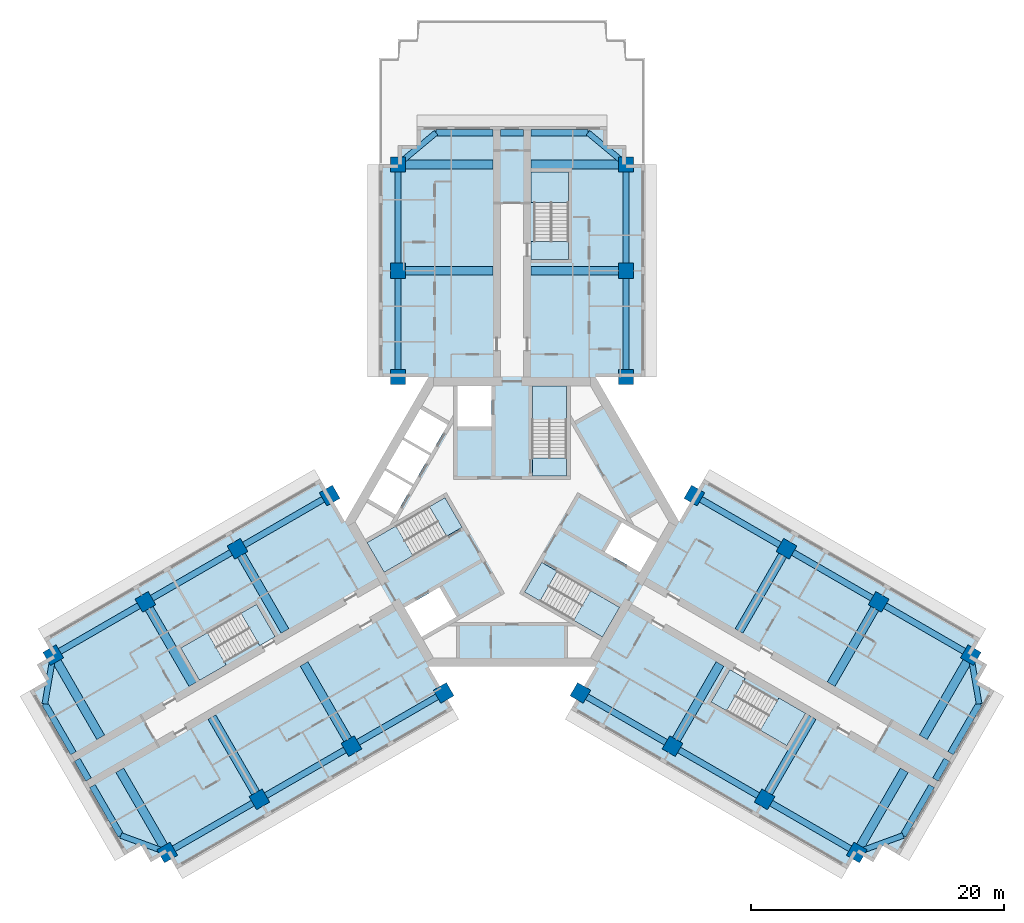
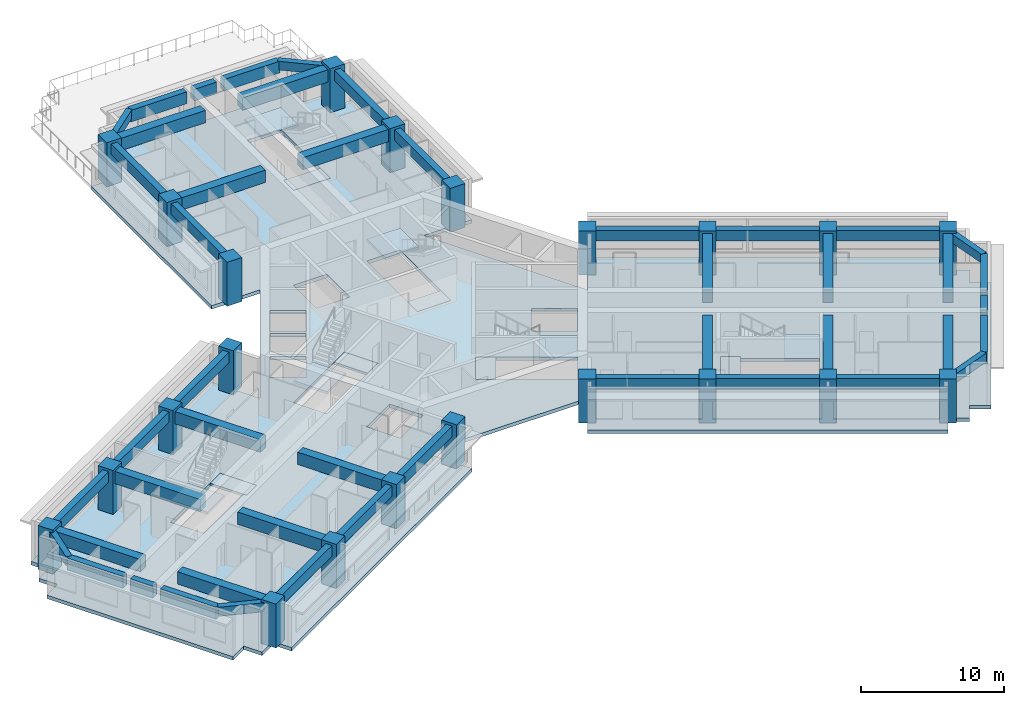
# One storey, part 1 of 12: 47 beams, 22 columns, 13 slabs, 6 elements without a shape of their own.
"""IFC4 building model written with IfcOpenShell, lengths in metres."""

from ifc_helpers import new_model, si_unit, direction, frame, origin, origin_2d, place, context, subcontext, project, spatial, polyline, rectangle, outline, extrude, material, layer, layer_set, material_profile, profile_set, type_object, element, aggregate, save


model = new_model("IFC4")

# Units and contexts
model_context = context("Model", 3, precision=1e-05, world=origin(), true_north=direction((0.0, 1.0)))
body_context = subcontext(model_context, "Body", "Model", "MODEL_VIEW")
ifc_project = project(units=[si_unit("LENGTHUNIT", "METRE"), si_unit("AREAUNIT", "SQUARE_METRE"), si_unit("VOLUMEUNIT", "CUBIC_METRE"), si_unit("PLANEANGLEUNIT", "RADIAN"), si_unit("MASSUNIT", "GRAM", prefix="KILO")], contexts=[model_context])

# Site, building, storey
site_placement = place(None, origin())
site = spatial("IfcSite", under=ifc_project, at=site_placement, CompositionType="ELEMENT")
building_placement = place(site_placement, origin())
building = spatial("IfcBuilding", under=site, at=building_placement, Name="Impinga Residences", CompositionType="ELEMENT")
storey_placement = place(building_placement, frame((0.0, 0.0, 188.5)))
storey = spatial("IfcBuildingStorey", under=building, at=storey_placement, Name="L46", CompositionType="ELEMENT", Elevation=188.5)

# Columns
ifc_material_1 = material(Name="Concrete C60/75", Category="concrete")
ifc_material_profile_1 = material_profile(ifc_material_1, rectangle(XDim=1.199951171875, YDim=1.199951171875, at=origin_2d()), Name="RC 1200x1200")
ifc_profile_set_1 = profile_set([ifc_material_profile_1], Name="Concrete C60/75")
column_type = type_object("IfcColumnType", Name="C9 1200x1200 column", PredefinedType="COLUMN", material=ifc_profile_set_1)
for number, where, z_axis, x_axis, name in (
    (1, (-9.0, 11.431640625, 0.0), (0.0, 0.0, 1.0), (1.0, 0.0, 0.0), "Column C9 N1/NA L46"),
    (2, (9.0, 11.431640625, 0.0), (0.0, 0.0, 1.0), (1.0, 0.0, 0.0), "Column C9 N1/NF L46"),
    (3, (-9.0, 19.83154296875, 0.0), (0.0, 0.0, 1.0), (1.0, 0.0, 0.0), "Column C9 N2/NA L46"),
    (4, (9.0, 19.83154296875, 0.0), (0.0, 0.0, 1.0), (1.0, 0.0, 0.0), "Column C9 N2/NF L46"),
    (5, (-9.0, 28.2314453125, 0.0), (0.0, 0.0, 1.0), (1.0, 0.0, 0.0), "Column C9 N3/NA L46"),
    (6, (9.0, 28.2314453125, 0.0), (0.0, 0.0, 1.0), (1.0, 0.0, 0.0), "Column C9 N3/NF L46"),
    (7, (-5.39990234375, -13.510009765625, 0.0), (0.0, 0.0, 1.0), (-0.5, 0.866025403784, 0.0), "Column C9 W1/WA L46"),
    (8, (-14.39990234375, 2.078369140625, 0.0), (0.0, 0.0, 1.0), (-0.5, 0.866025403784, 0.0), "Column C9 W1/WF L46"),
    (9, (-12.674560546875, -17.7099609375, 0.0), (0.0, 0.0, 1.0), (-0.5, 0.866025403784, 0.0), "Column C9 W2/WA L46"),
    (10, (-21.674560546875, -2.12158203125, 0.0), (0.0, 0.0, 1.0), (-0.5, 0.866025403784, 0.0), "Column C9 W2/WF L46"),
    (11, (-19.94921875, -21.909912109375, 0.0), (0.0, 0.0, 1.0), (-0.5, 0.866025403784, 0.0), "Column C9 W3/WA L46"),
    (12, (-28.94921875, -6.321533203125, 0.0), (0.0, 0.0, 1.0), (-0.5, 0.866025403784, 0.0), "Column C9 W3/WF L46"),
    (13, (-27.223876953125, -26.110107421875, 0.0), (0.0, 0.0, 1.0), (-0.5, 0.866025403784, 0.0), "Column C9 W4/WA L46"),
    (14, (-36.223876953125, -10.521484375, 0.0), (0.0, 0.0, 1.0), (-0.5, 0.866025403784, 0.0), "Column C9 W4/WF L46"),
    (15, (14.39990234375, 2.078369140625, 0.0), (0.0, 0.0, 1.0), (-0.5, -0.866025403784, 0.0), "Column C9 E1/EA L46"),
    (16, (5.39990234375, -13.510009765625, 0.0), (0.0, 0.0, 1.0), (-0.5, -0.866025403784, 0.0), "Column C9 E1/EF L46"),
    (17, (21.674560546875, -2.12158203125, 0.0), (0.0, 0.0, 1.0), (-0.5, -0.866025403784, 0.0), "Column C9 E2/EA L46"),
    (18, (12.674560546875, -17.7099609375, 0.0), (0.0, 0.0, 1.0), (-0.5, -0.866025403784, 0.0), "Column C9 E2/EF L46"),
    (19, (28.94921875, -6.321533203125, 0.0), (0.0, 0.0, 1.0), (-0.5, -0.866025403784, 0.0), "Column C9 E3/EA L46"),
    (20, (19.94921875, -21.909912109375, 0.0), (0.0, 0.0, 1.0), (-0.5, -0.866025403784, 0.0), "Column C9 E3/EF L46"),
    (21, (36.223876953125, -10.521484375, 0.0), (0.0, 0.0, 1.0), (-0.5, -0.866025403784, 0.0), "Column C9 E4/EA L46"),
    (22, (27.223876953125, -26.110107421875, 0.0), (0.0, 0.0, 1.0), (-0.5, -0.866025403784, 0.0), "Column C9 E4/EF L46"),
):
    element("IfcColumn", number, at=place(storey_placement, frame(where, z_axis=z_axis, x_axis=x_axis)), inside=storey, type_object=column_type, Name=name, PredefinedType="COLUMN", context=body_context, shape_type="SweptSolid", body=[
        extrude(rectangle(XDim=1.199951171875, YDim=1.199951171875, at=origin_2d()), origin(), (0.0, 0.0, 1.0), 3.75),
    ])

# Beams
ifc_material_profile_2 = material_profile(ifc_material_1, rectangle(XDim=0.449951171875, YDim=0.75, at=origin_2d()), Name="RC 450x750")
ifc_profile_set_2 = profile_set([ifc_material_profile_2], Name="Concrete C60/75")
beam_type_1 = type_object("IfcBeamType", Name="CB1 450x750 wing end cantilever beam", PredefinedType="BEAM", material=ifc_profile_set_2)
for number, where, z_axis, x_axis, name in (
    (23, (-9.0, 28.2314453125, 3.155029296875), (0.768221279597, 0.640184399664, 0.0), (-0.640184399664, 0.768221279597, 0.0), "Beam CB1 NB N3-NX level L47"),
    (24, (9.0, 28.2314453125, 3.155029296875), (-0.768221279597, 0.640184399664, 0.0), (-0.640184399664, -0.768221279597, 0.0), "Beam CB1 NE N3-NX level L47"),
    (25, (-27.223876953125, -26.110107421875, 3.155029296875), (-0.938520178725, 0.345224382289, 0.0), (-0.345224382289, -0.938520178725, 0.0), "Beam CB1 WB W4-WX level L47"),
):
    element("IfcBeam", number, at=place(storey_placement, frame(where, z_axis=z_axis, x_axis=x_axis)), inside=storey, type_object=beam_type_1, Name=name, PredefinedType="BEAM", context=body_context, shape_type="SweptSolid", body=[
        extrude(rectangle(XDim=0.449951171875, YDim=0.75, at=origin_2d()), origin(), (0.0, 0.0, 1.0), 3.905029296875),
    ])
for number, where, z_axis, x_axis, name in (
    (26, (-36.223876953125, -10.521484375, 3.155029296875), (-0.170296298948, -0.985392901621, 0.0), (0.985392901621, -0.170296298948, 0.0), "Beam CB1 WE W4-WX level L47"),
    (27, (36.223876953125, -10.521484375, 3.155029296875), (0.170296298948, -0.985392901621, 0.0), (0.985392901621, 0.170296298948, 0.0), "Beam CB1 EB E4-EX level L47"),
):
    element("IfcBeam", number, at=place(storey_placement, frame(where, z_axis=z_axis, x_axis=x_axis)), inside=storey, type_object=beam_type_1, Name=name, PredefinedType="BEAM", context=body_context, shape_type="SweptSolid", body=[
        extrude(rectangle(XDim=0.449951171875, YDim=0.75, at=origin_2d()), origin(), (0.0, 0.0, 1.0), 3.9052734375),
    ])
beam_1_placement = place(storey_placement, frame((27.223876953125, -26.110107421875, 3.155029296875), z_axis=(0.938520178725, 0.345224382289, 0.0), x_axis=(-0.345224382289, 0.938520178725, 0.0)))
element("IfcBeam", 28, at=beam_1_placement, inside=storey, type_object=beam_type_1, Name="Beam CB1 EE E4-EX level L47", PredefinedType="BEAM", context=body_context, shape_type="SweptSolid", body=[
    extrude(rectangle(XDim=0.449951171875, YDim=0.75, at=origin_2d()), origin(), (0.0, 0.0, 1.0), 3.905029296875),
])
ifc_material_profile_3 = material_profile(ifc_material_1, rectangle(XDim=0.699951171875, YDim=1.050048828125, at=origin_2d()), Name="RC 700x1050")
ifc_profile_set_3 = profile_set([ifc_material_profile_3], Name="Concrete C60/75")
beam_type_2 = type_object("IfcBeamType", Name="CG1 700x1050 cross girder on a wing bay line", PredefinedType="BEAM", material=ifc_profile_set_3)
for number, where, z_axis, x_axis, name in (
    (29, (-1.5, 19.83154296875, 3.0048828125), (-1.0, 0.0, 0.0), (0.0, -1.0, 0.0), "Beam CG1 N2 NC/NA level L47"),
    (30, (-1.5, 28.2314453125, 3.0048828125), (-1.0, 0.0, 0.0), (0.0, -1.0, 0.0), "Beam CG1 N3 NC/NA level L47"),
    (31, (1.5, 19.83154296875, 3.0048828125), (1.0, 0.0, 0.0), (0.0, 1.0, 0.0), "Beam CG1 N2 NC/NF level L47"),
    (32, (1.5, 28.2314453125, 3.0048828125), (1.0, 0.0, 0.0), (0.0, 1.0, 0.0), "Beam CG1 N3 NC/NF level L47"),
    (33, (-16.424560546875, -11.21484375, 3.0048828125), (0.500004234368, -0.866022959057, 0.0), (0.866022959057, 0.500004234368, 0.0), "Beam CG1 W2 WC/WA level L47"),
    (34, (-23.69921875, -15.414794921875, 3.0048828125), (0.500004234368, -0.866022959057, 0.0), (0.866022959057, 0.500004234368, 0.0), "Beam CG1 W3 WC/WA level L47"),
):
    element("IfcBeam", number, at=place(storey_placement, frame(where, z_axis=z_axis, x_axis=x_axis)), inside=storey, type_object=beam_type_2, Name=name, PredefinedType="BEAM", context=body_context, shape_type="SweptSolid", body=[
        extrude(rectangle(XDim=0.699951171875, YDim=1.050048828125, at=origin_2d()), origin(), (0.0, 0.0, 1.0), 7.5),
    ])
beam_2_placement = place(storey_placement, frame((-30.973876953125, -19.61474609375, 3.0048828125), z_axis=(0.499990139034, -0.866031096941, 0.0), x_axis=(0.866031096941, 0.499990139034, 0.0)))
element("IfcBeam", 35, at=beam_2_placement, inside=storey, type_object=beam_type_2, Name="Beam CG1 W4 WC/WA level L47", PredefinedType="BEAM", context=body_context, shape_type="SweptSolid", body=[
    extrude(rectangle(XDim=0.699951171875, YDim=1.050048828125, at=origin_2d()), origin(), (0.0, 0.0, 1.0), 7.500244140625),
])
for number, where, z_axis, x_axis, name in (
    (36, (-17.924560546875, -8.61669921875, 3.0048828125), (-0.500004234368, 0.866022959057, 0.0), (-0.866022959057, -0.500004234368, 0.0), "Beam CG1 W2 WC/WF level L47"),
    (37, (-25.19921875, -12.816650390625, 3.0048828125), (-0.500004234368, 0.866022959057, 0.0), (-0.866022959057, -0.500004234368, 0.0), "Beam CG1 W3 WC/WF level L47"),
):
    element("IfcBeam", number, at=place(storey_placement, frame(where, z_axis=z_axis, x_axis=x_axis)), inside=storey, type_object=beam_type_2, Name=name, PredefinedType="BEAM", context=body_context, shape_type="SweptSolid", body=[
        extrude(rectangle(XDim=0.699951171875, YDim=1.050048828125, at=origin_2d()), origin(), (0.0, 0.0, 1.0), 7.5),
    ])
beam_3_placement = place(storey_placement, frame((-32.473876953125, -17.016845703125, 3.0048828125), z_axis=(-0.499990139034, 0.866031096941, 0.0), x_axis=(-0.866031096941, -0.499990139034, 0.0)))
element("IfcBeam", 38, at=beam_3_placement, inside=storey, type_object=beam_type_2, Name="Beam CG1 W4 WC/WF level L47", PredefinedType="BEAM", context=body_context, shape_type="SweptSolid", body=[
    extrude(rectangle(XDim=0.699951171875, YDim=1.050048828125, at=origin_2d()), origin(), (0.0, 0.0, 1.0), 7.500244140625),
])
for number, where, z_axis, x_axis, name in (
    (39, (17.924560546875, -8.61669921875, 3.0048828125), (0.500004234368, 0.866022959057, 0.0), (-0.866022959057, 0.500004234368, 0.0), "Beam CG1 E2 EC/EA level L47"),
    (40, (25.19921875, -12.816650390625, 3.0048828125), (0.500004234368, 0.866022959057, 0.0), (-0.866022959057, 0.500004234368, 0.0), "Beam CG1 E3 EC/EA level L47"),
):
    element("IfcBeam", number, at=place(storey_placement, frame(where, z_axis=z_axis, x_axis=x_axis)), inside=storey, type_object=beam_type_2, Name=name, PredefinedType="BEAM", context=body_context, shape_type="SweptSolid", body=[
        extrude(rectangle(XDim=0.699951171875, YDim=1.050048828125, at=origin_2d()), origin(), (0.0, 0.0, 1.0), 7.5),
    ])
beam_4_placement = place(storey_placement, frame((32.473876953125, -17.016845703125, 3.0048828125), z_axis=(0.499990139034, 0.866031096941, 0.0), x_axis=(-0.866031096941, 0.499990139034, 0.0)))
element("IfcBeam", 41, at=beam_4_placement, inside=storey, type_object=beam_type_2, Name="Beam CG1 E4 EC/EA level L47", PredefinedType="BEAM", context=body_context, shape_type="SweptSolid", body=[
    extrude(rectangle(XDim=0.699951171875, YDim=1.050048828125, at=origin_2d()), origin(), (0.0, 0.0, 1.0), 7.500244140625),
])
for number, where, z_axis, x_axis, name in (
    (42, (16.424560546875, -11.21484375, 3.0048828125), (-0.500004234368, -0.866022959057, 0.0), (0.866022959057, -0.500004234368, 0.0), "Beam CG1 E2 EC/EF level L47"),
    (43, (23.69921875, -15.414794921875, 3.0048828125), (-0.500004234368, -0.866022959057, 0.0), (0.866022959057, -0.500004234368, 0.0), "Beam CG1 E3 EC/EF level L47"),
):
    element("IfcBeam", number, at=place(storey_placement, frame(where, z_axis=z_axis, x_axis=x_axis)), inside=storey, type_object=beam_type_2, Name=name, PredefinedType="BEAM", context=body_context, shape_type="SweptSolid", body=[
        extrude(rectangle(XDim=0.699951171875, YDim=1.050048828125, at=origin_2d()), origin(), (0.0, 0.0, 1.0), 7.5),
    ])
beam_5_placement = place(storey_placement, frame((30.973876953125, -19.61474609375, 3.0048828125), z_axis=(-0.499990139034, -0.866031096941, 0.0), x_axis=(0.866031096941, -0.499990139034, 0.0)))
element("IfcBeam", 44, at=beam_5_placement, inside=storey, type_object=beam_type_2, Name="Beam CG1 E4 EC/EF level L47", PredefinedType="BEAM", context=body_context, shape_type="SweptSolid", body=[
    extrude(rectangle(XDim=0.699951171875, YDim=1.050048828125, at=origin_2d()), origin(), (0.0, 0.0, 1.0), 7.500244140625),
])
ifc_material_profile_4 = material_profile(ifc_material_1, rectangle(XDim=0.5, YDim=1.0, at=origin_2d()), Name="RC 500x1000")
ifc_profile_set_4 = profile_set([ifc_material_profile_4], Name="Concrete C60/75")
beam_type_3 = type_object("IfcBeamType", Name="EB1 500x1000 wing end beam", PredefinedType="BEAM", material=ifc_profile_set_4)
beam_6_placement = place(storey_placement, frame((-6.0, 30.7314453125, 3.030029296875), z_axis=(1.0, 0.0, 0.0), x_axis=(0.0, 1.0, 0.0)))
element("IfcBeam", 45, at=beam_6_placement, inside=storey, type_object=beam_type_3, Name="Beam EB1 NX2 level L47", PredefinedType="BEAM", context=body_context, shape_type="SweptSolid", body=[
    extrude(rectangle(XDim=0.5, YDim=1.0, at=origin_2d()), origin(), (0.0, 0.0, 1.0), 4.5),
])
beam_7_placement = place(storey_placement, frame((-0.89990234375, 30.7314453125, 3.030029296875), z_axis=(1.0, 0.0, 0.0), x_axis=(0.0, 1.0, 0.0)))
element("IfcBeam", 46, at=beam_7_placement, inside=storey, type_object=beam_type_3, Name="Beam EB1 NX2 level L47", PredefinedType="BEAM", context=body_context, shape_type="SweptSolid", body=[
    extrude(rectangle(XDim=0.5, YDim=1.0, at=origin_2d()), origin(), (0.0, 0.0, 1.0), 1.7998046875),
])
for number, where, z_axis, x_axis, name in (
    (47, (1.5, 30.7314453125, 3.030029296875), (1.0, 0.0, 0.0), (0.0, 1.0, 0.0), "Beam EB1 NX2 level L47"),
    (48, (-30.888916015625, -24.761962890625, 3.030029296875), (-0.499990139034, 0.866031096941, 0.0), (-0.866031096941, -0.499990139034, 0.0), "Beam EB1 WX3 level L47"),
):
    element("IfcBeam", number, at=place(storey_placement, frame(where, z_axis=z_axis, x_axis=x_axis)), inside=storey, type_object=beam_type_3, Name=name, PredefinedType="BEAM", context=body_context, shape_type="SweptSolid", body=[
        extrude(rectangle(XDim=0.5, YDim=1.0, at=origin_2d()), origin(), (0.0, 0.0, 1.0), 4.5),
    ])
beam_8_placement = place(storey_placement, frame((-33.43896484375, -20.34521484375, 3.030029296875), z_axis=(-0.499961193289, 0.866047807691, 0.0), x_axis=(-0.866047807691, -0.499961193289, 0.0)))
element("IfcBeam", 49, at=beam_8_placement, inside=storey, type_object=beam_type_3, Name="Beam EB1 WX3 level L47", PredefinedType="BEAM", context=body_context, shape_type="SweptSolid", body=[
    extrude(rectangle(XDim=0.5, YDim=1.0, at=origin_2d()), origin(), (0.0, 0.0, 1.0), 1.800048828125),
])
for number, where, z_axis, x_axis, name in (
    (50, (-34.638916015625, -18.266845703125, 3.030029296875), (-0.499990139034, 0.866031096941, 0.0), (-0.866031096941, -0.499990139034, 0.0), "Beam EB1 WX3 level L47"),
    (51, (36.888916015625, -14.36962890625, 3.030029296875), (-0.499990139034, -0.866031096941, 0.0), (0.866031096941, -0.499990139034, 0.0), "Beam EB1 EX3 level L47"),
):
    element("IfcBeam", number, at=place(storey_placement, frame(where, z_axis=z_axis, x_axis=x_axis)), inside=storey, type_object=beam_type_3, Name=name, PredefinedType="BEAM", context=body_context, shape_type="SweptSolid", body=[
        extrude(rectangle(XDim=0.5, YDim=1.0, at=origin_2d()), origin(), (0.0, 0.0, 1.0), 4.5),
    ])
beam_9_placement = place(storey_placement, frame((34.3388671875, -18.786376953125, 3.030029296875), z_axis=(-0.499961193289, -0.866047807691, 0.0), x_axis=(0.866047807691, -0.499961193289, 0.0)))
element("IfcBeam", 52, at=beam_9_placement, inside=storey, type_object=beam_type_3, Name="Beam EB1 EX3 level L47", PredefinedType="BEAM", context=body_context, shape_type="SweptSolid", body=[
    extrude(rectangle(XDim=0.5, YDim=1.0, at=origin_2d()), origin(), (0.0, 0.0, 1.0), 1.800048828125),
])
beam_10_placement = place(storey_placement, frame((33.138916015625, -20.86474609375, 3.030029296875), z_axis=(-0.499990139034, -0.866031096941, 0.0), x_axis=(0.866031096941, -0.499990139034, 0.0)))
element("IfcBeam", 53, at=beam_10_placement, inside=storey, type_object=beam_type_3, Name="Beam EB1 EX3 level L47", PredefinedType="BEAM", context=body_context, shape_type="SweptSolid", body=[
    extrude(rectangle(XDim=0.5, YDim=1.0, at=origin_2d()), origin(), (0.0, 0.0, 1.0), 4.5),
])
ifc_material_profile_5 = material_profile(ifc_material_1, rectangle(XDim=0.5, YDim=0.89990234375, at=origin_2d()), Name="RC 500x900")
ifc_profile_set_5 = profile_set([ifc_material_profile_5], Name="Concrete C60/75")
beam_type_4 = type_object("IfcBeamType", Name="SB1 500x900 perimeter spandrel beam", PredefinedType="SPANDREL", material=ifc_profile_set_5)
for number, where, z_axis, x_axis, name in (
    (54, (-9.0, 11.431640625, 3.080078125), (0.0, 1.0, 0.0), (-1.0, 0.0, 0.0), "Beam SB1 NA N1-N2 level L47"),
    (55, (-9.0, 19.83154296875, 3.080078125), (0.0, 1.0, 0.0), (-1.0, 0.0, 0.0), "Beam SB1 NA N2-N3 level L47"),
    (56, (9.0, 11.431640625, 3.080078125), (0.0, 1.0, 0.0), (-1.0, 0.0, 0.0), "Beam SB1 NF N1-N2 level L47"),
    (57, (9.0, 19.83154296875, 3.080078125), (0.0, 1.0, 0.0), (-1.0, 0.0, 0.0), "Beam SB1 NF N2-N3 level L47"),
    (58, (-5.39990234375, -13.510009765625, 3.080078125), (-0.86602925447, -0.499993330357, 0.0), (0.499993330357, -0.86602925447, 0.0), "Beam SB1 WA W1-W2 level L47"),
    (59, (-12.674560546875, -17.7099609375, 3.080078125), (-0.86602925447, -0.499993330357, 0.0), (0.499993330357, -0.86602925447, 0.0), "Beam SB1 WA W2-W3 level L47"),
):
    element("IfcBeam", number, at=place(storey_placement, frame(where, z_axis=z_axis, x_axis=x_axis)), inside=storey, type_object=beam_type_4, Name=name, PredefinedType="SPANDREL", context=body_context, shape_type="SweptSolid", body=[
        extrude(rectangle(XDim=0.5, YDim=0.89990234375, at=origin_2d()), origin(), (0.0, 0.0, 1.0), 8.39990234375),
    ])
beam_11_placement = place(storey_placement, frame((-19.94921875, -21.909912109375, 3.080078125), z_axis=(-0.866016669275, -0.500015128309, 0.0), x_axis=(0.500015128309, -0.866016669275, 0.0)))
element("IfcBeam", 60, at=beam_11_placement, inside=storey, type_object=beam_type_4, Name="Beam SB1 WA W3-W4 level L47", PredefinedType="SPANDREL", context=body_context, shape_type="SweptSolid", body=[
    extrude(rectangle(XDim=0.5, YDim=0.89990234375, at=origin_2d()), origin(), (0.0, 0.0, 1.0), 8.400146484375),
])
for number, where, z_axis, x_axis, name in (
    (61, (-14.39990234375, 2.078369140625, 3.080078125), (-0.86602925447, -0.499993330357, 0.0), (0.499993330357, -0.86602925447, 0.0), "Beam SB1 WF W1-W2 level L47"),
    (62, (-21.674560546875, -2.12158203125, 3.080078125), (-0.86602925447, -0.499993330357, 0.0), (0.499993330357, -0.86602925447, 0.0), "Beam SB1 WF W2-W3 level L47"),
    (63, (-28.94921875, -6.321533203125, 3.080078125), (-0.86602925447, -0.499993330357, 0.0), (0.499993330357, -0.86602925447, 0.0), "Beam SB1 WF W3-W4 level L47"),
    (64, (14.39990234375, 2.078369140625, 3.080078125), (0.86602925447, -0.499993330357, 0.0), (0.499993330357, 0.86602925447, 0.0), "Beam SB1 EA E1-E2 level L47"),
    (65, (21.674560546875, -2.12158203125, 3.080078125), (0.86602925447, -0.499993330357, 0.0), (0.499993330357, 0.86602925447, 0.0), "Beam SB1 EA E2-E3 level L47"),
    (66, (28.94921875, -6.321533203125, 3.080078125), (0.86602925447, -0.499993330357, 0.0), (0.499993330357, 0.86602925447, 0.0), "Beam SB1 EA E3-E4 level L47"),
    (67, (5.39990234375, -13.510009765625, 3.080078125), (0.86602925447, -0.499993330357, 0.0), (0.499993330357, 0.86602925447, 0.0), "Beam SB1 EF E1-E2 level L47"),
    (68, (12.674560546875, -17.7099609375, 3.080078125), (0.86602925447, -0.499993330357, 0.0), (0.499993330357, 0.86602925447, 0.0), "Beam SB1 EF E2-E3 level L47"),
):
    element("IfcBeam", number, at=place(storey_placement, frame(where, z_axis=z_axis, x_axis=x_axis)), inside=storey, type_object=beam_type_4, Name=name, PredefinedType="SPANDREL", context=body_context, shape_type="SweptSolid", body=[
        extrude(rectangle(XDim=0.5, YDim=0.89990234375, at=origin_2d()), origin(), (0.0, 0.0, 1.0), 8.39990234375),
    ])
beam_12_placement = place(storey_placement, frame((19.94921875, -21.909912109375, 3.080078125), z_axis=(0.866016669275, -0.500015128309, 0.0), x_axis=(0.500015128309, 0.866016669275, 0.0)))
element("IfcBeam", 69, at=beam_12_placement, inside=storey, type_object=beam_type_4, Name="Beam SB1 EF E3-E4 level L47", PredefinedType="SPANDREL", context=body_context, shape_type="SweptSolid", body=[
    extrude(rectangle(XDim=0.5, YDim=0.89990234375, at=origin_2d()), origin(), (0.0, 0.0, 1.0), 8.400146484375),
])

# Slab
ifc_layer_1 = layer(ifc_material_1, 0.300048828125)
ifc_layer_set_1 = layer_set([ifc_layer_1], Name="Concrete C60/75")
slab_type_1 = type_object("IfcSlabType", Name="FS2 podium, plant and crown floor slab 300", PredefinedType="FLOOR", material=ifc_layer_set_1)
slab_1_placement = place(storey_placement, frame((0.0, 0.0, -0.300048828125)))
element("IfcSlab", 70, at=slab_1_placement, inside=storey, type_object=slab_type_1, Name="Floor slab FS2 L46", PredefinedType="FLOOR", context=body_context, shape_type="SweptSolid", body=[
    extrude(outline(polyline([(-27.223876953125, -26.110107421875), (-28.52294921875, -26.860107421875), (-29.27294921875, -25.56103515625), (-30.572021484375, -26.31103515625), (-38.072021484375, -13.320556640625), (-36.77294921875, -12.570556640625), (-37.52294921875, -11.271484375), (-36.223876953125, -10.521484375), (-36.973876953125, -9.222412109375), (-15.14990234375, 3.37744140625), (-13.199951171875, 0.0), (-6.60009765625, 11.431640625), (-10.5, 11.431640625), (-10.5, 28.2314453125), (-9.0, 28.2314453125), (-9.0, 29.7314453125), (-7.5, 29.7314453125), (-7.5, 31.2314453125), (7.5, 31.2314453125), (7.5, 29.7314453125), (9.0, 29.7314453125), (9.0, 28.2314453125), (10.5, 28.2314453125), (10.5, 11.431640625), (6.60009765625, 11.431640625), (13.199951171875, 0.0), (15.14990234375, 3.37744140625), (36.973876953125, -9.222412109375), (36.223876953125, -10.521484375), (37.52294921875, -11.271484375), (36.77294921875, -12.570556640625), (38.072021484375, -13.320556640625), (30.572021484375, -26.31103515625), (29.27294921875, -25.56103515625), (28.52294921875, -26.860107421875), (27.223876953125, -26.110107421875), (26.473876953125, -27.408935546875), (4.64990234375, -14.80908203125), (9.900146484375, -5.7158203125), (6.60009765625, -11.431640625), (-6.60009765625, -11.431640625), (-9.900146484375, -5.7158203125), (-4.64990234375, -14.80908203125), (-26.473876953125, -27.408935546875), (-27.223876953125, -26.110107421875)]), holes=[polyline([(-18.7041015625, -9.066650390625), (-18.8291015625, -8.850341796875), (-18.8291015625, -8.850341796875), (-20.178955078125, -6.511962890625), (-21.391357421875, -7.2119140625), (-21.391357421875, -7.2119140625), (-26.154541015625, -9.9619140625), (-24.8046875, -12.30029296875), (-20.04150390625, -9.55029296875), (-20.016357421875, -9.593505859375), (-20.016357421875, -9.593505859375), (-19.91650390625, -9.766845703125), (-18.7041015625, -9.066650390625)]), polyline([(-5.72119140625, -5.150634765625), (-8.493896484375, -6.75146484375), (-7.143798828125, -9.089599609375), (-4.37109375, -7.489013671875), (-5.72119140625, -5.150634765625)]), polyline([(-5.293701171875, 1.908935546875), (-11.44384765625, -1.641845703125), (-10.09375, -3.980224609375), (-3.943603515625, -0.429443359375), (-5.293701171875, 1.908935546875)]), polyline([(-7.878662109375, 2.816650390625), (-10.043701171875, 4.066650390625), (-11.34375, 1.81494140625), (-9.1787109375, 0.56494140625), (-7.878662109375, 2.816650390625)]), polyline([(-6.478759765625, 5.24169921875), (-8.643798828125, 6.49169921875), (-9.94384765625, 4.239990234375), (-7.77880859375, 2.989990234375), (-6.478759765625, 5.24169921875)]), polyline([(-6.378662109375, 5.414794921875), (-5.07861328125, 7.66650390625), (-7.243896484375, 8.91650390625), (-8.543701171875, 6.664794921875), (-6.378662109375, 5.414794921875)]), polyline([(-4.300048828125, 7.530029296875), (-1.60009765625, 7.530029296875), (-1.60009765625, 10.7314453125), (-4.300048828125, 10.7314453125), (-4.300048828125, 7.530029296875)]), polyline([(15.72900390625, -14.219482421875), (21.70458984375, -17.669677734375), (23.0546875, -15.331298828125), (18.29150390625, -12.581298828125), (18.41650390625, -12.36474609375), (17.2041015625, -11.664794921875), (17.10400390625, -11.837890625), (17.10400390625, -11.837890625), (15.72900390625, -14.219482421875)]), polyline([(0.99365234375, -5.538818359375), (7.143798828125, -9.089599609375), (8.493896484375, -6.75146484375), (2.34375, -3.20068359375), (0.99365234375, -5.538818359375)]), polyline([(7.3212890625, -2.37939453125), (10.09375, -3.980224609375), (11.44384765625, -1.641845703125), (8.671142578125, -0.041015625), (7.3212890625, -2.37939453125)]), polyline([(4.300048828125, 3.6298828125), (4.300048828125, 10.7314453125), (1.60009765625, 10.7314453125), (1.60009765625, 3.6298828125), (4.300048828125, 3.6298828125)]), polyline([(1.699951171875, 22.131591796875), (1.5, 22.131591796875), (1.5, 20.7314453125), (1.699951171875, 20.7314453125), (1.75, 20.7314453125), (4.449951171875, 20.7314453125), (4.449951171875, 22.131591796875), (4.449951171875, 27.631591796875), (1.75, 27.631591796875), (1.75, 22.131591796875), (1.699951171875, 22.131591796875)])]), origin(), (0.0, 0.0, 1.0), 0.300048828125),
])

# Stair, slabs
ifc_material_2 = material(Name="Concrete C40/50", Category="concrete")
stair_type_1 = type_object("IfcStairType", Name="STR core stair 3750 storey, 24 risers", PredefinedType="HALF_TURN_STAIR", material=ifc_material_2)
stair_1_placement = place(storey_placement, origin())
stair_1 = element("IfcStair", 71, at=stair_1_placement, inside=storey, type_object=stair_type_1, Name="Stair ST1 L46", PredefinedType="HALF_TURN_STAIR")
ifc_layer_2 = layer(ifc_material_2, 0.199951171875)
ifc_layer_set_2 = layer_set([ifc_layer_2], Name="Concrete C40/50")
slab_type_2 = type_object("IfcSlabType", Name="LS1 stair landing 200", PredefinedType="LANDING", material=ifc_layer_set_2)
slab_2_placement = place(storey_placement, frame((0.0, 0.0, -0.199951171875)))
slab_2 = element("IfcSlab", 72, at=slab_2_placement, type_object=slab_type_2, Name="ST1 landing 1", PredefinedType="LANDING", context=body_context, shape_type="SweptSolid", body=[
    extrude(outline(polyline([(1.60009765625, 3.6298828125), (4.300048828125, 3.6298828125), (4.300048828125, 5.0400390625), (1.60009765625, 5.0400390625), (1.60009765625, 3.6298828125)])), origin(), (0.0, 0.0, 1.0), 0.199951171875),
])
slab_3_placement = place(storey_placement, frame((0.0, 0.0, 1.675048828125)))
slab_3 = element("IfcSlab", 73, at=slab_3_placement, type_object=slab_type_2, Name="ST1 landing 2", PredefinedType="LANDING", context=body_context, shape_type="SweptSolid", body=[
    extrude(outline(polyline([(1.60009765625, 8.10009765625), (4.300048828125, 8.10009765625), (4.300048828125, 10.7314453125), (1.60009765625, 10.7314453125), (1.60009765625, 8.10009765625)])), origin(), (0.0, 0.0, 1.0), 0.199951171875),
])
aggregate(stair_1, [slab_2, slab_3])

stair_2_placement = place(storey_placement, origin())
stair_2 = element("IfcStair", 74, at=stair_2_placement, inside=storey, type_object=stair_type_1, Name="Stair ST2 L46", PredefinedType="HALF_TURN_STAIR")
slab_4_placement = place(storey_placement, frame((0.0, 0.0, -0.199951171875)))
slab_4 = element("IfcSlab", 75, at=slab_4_placement, type_object=slab_type_2, Name="ST2 landing 1", PredefinedType="LANDING", context=body_context, shape_type="SweptSolid", body=[
    extrude(outline(polyline([(-3.943603515625, -0.429443359375), (-5.293701171875, 1.908935546875), (-6.5146484375, 1.203857421875), (-5.164794921875, -1.13427734375), (-3.943603515625, -0.429443359375)])), origin(), (0.0, 0.0, 1.0), 0.199951171875),
])
slab_5_placement = place(storey_placement, frame((0.0, 0.0, 1.675048828125)))
slab_5 = element("IfcSlab", 76, at=slab_5_placement, type_object=slab_type_2, Name="ST2 landing 2", PredefinedType="LANDING", context=body_context, shape_type="SweptSolid", body=[
    extrude(outline(polyline([(-7.814697265625, -2.664306640625), (-9.164794921875, -0.326171875), (-11.44384765625, -1.641845703125), (-10.09375, -3.980224609375), (-7.814697265625, -2.664306640625)])), origin(), (0.0, 0.0, 1.0), 0.199951171875),
])
aggregate(stair_2, [slab_4, slab_5])

stair_3_placement = place(storey_placement, origin())
stair_3 = element("IfcStair", 77, at=stair_3_placement, inside=storey, type_object=stair_type_1, Name="Stair ST3 L46", PredefinedType="HALF_TURN_STAIR")
slab_6_placement = place(storey_placement, frame((0.0, 0.0, -0.199951171875)))
slab_6 = element("IfcSlab", 78, at=slab_6_placement, type_object=slab_type_2, Name="ST3 landing 1", PredefinedType="LANDING", context=body_context, shape_type="SweptSolid", body=[
    extrude(outline(polyline([(2.34375, -3.20068359375), (0.99365234375, -5.538818359375), (2.21484375, -6.243896484375), (3.564697265625, -3.90576171875), (2.34375, -3.20068359375)])), origin(), (0.0, 0.0, 1.0), 0.199951171875),
])
slab_7_placement = place(storey_placement, frame((0.0, 0.0, 1.675048828125)))
slab_7 = element("IfcSlab", 79, at=slab_7_placement, type_object=slab_type_2, Name="ST3 landing 2", PredefinedType="LANDING", context=body_context, shape_type="SweptSolid", body=[
    extrude(outline(polyline([(6.21484375, -5.435546875), (4.86474609375, -7.77392578125), (7.143798828125, -9.089599609375), (8.493896484375, -6.75146484375), (6.21484375, -5.435546875)])), origin(), (0.0, 0.0, 1.0), 0.199951171875),
])
aggregate(stair_3, [slab_6, slab_7])

stair_type_2 = type_object("IfcStairType", Name="STR wing stair 3750 storey, 24 risers", PredefinedType="HALF_TURN_STAIR", material=ifc_material_2)
stair_4_placement = place(storey_placement, origin())
stair_4 = element("IfcStair", 80, at=stair_4_placement, inside=storey, type_object=stair_type_2, Name="Stair WS1 L46", PredefinedType="HALF_TURN_STAIR")
slab_8_placement = place(storey_placement, frame((0.0, 0.0, -0.199951171875)))
slab_8 = element("IfcSlab", 81, at=slab_8_placement, type_object=slab_type_2, Name="WS1 landing 1", PredefinedType="LANDING", context=body_context, shape_type="SweptSolid", body=[
    extrude(outline(polyline([(1.5, 20.7314453125), (4.449951171875, 20.7314453125), (4.449951171875, 22.1416015625), (1.5, 22.1416015625), (1.5, 20.7314453125)])), origin(), (0.0, 0.0, 1.0), 0.199951171875),
])
slab_9_placement = place(storey_placement, frame((0.0, 0.0, 1.675048828125)))
slab_9 = element("IfcSlab", 82, at=slab_9_placement, type_object=slab_type_2, Name="WS1 landing 2", PredefinedType="LANDING", context=body_context, shape_type="SweptSolid", body=[
    extrude(outline(polyline([(1.5, 25.201416015625), (4.449951171875, 25.201416015625), (4.449951171875, 27.631591796875), (1.5, 27.631591796875), (1.5, 25.201416015625)])), origin(), (0.0, 0.0, 1.0), 0.199951171875),
])
aggregate(stair_4, [slab_8, slab_9])

stair_5_placement = place(storey_placement, origin())
stair_5 = element("IfcStair", 83, at=stair_5_placement, inside=storey, type_object=stair_type_2, Name="Stair WS2 L46", PredefinedType="HALF_TURN_STAIR")
slab_10_placement = place(storey_placement, frame((0.0, 0.0, -0.199951171875)))
slab_10 = element("IfcSlab", 84, at=slab_10_placement, type_object=slab_type_2, Name="WS2 landing 1", PredefinedType="LANDING", context=body_context, shape_type="SweptSolid", body=[
    extrude(outline(polyline([(-18.7041015625, -9.066650390625), (-20.178955078125, -6.511962890625), (-21.400146484375, -7.217041015625), (-19.925048828125, -9.771728515625), (-18.7041015625, -9.066650390625)])), origin(), (0.0, 0.0, 1.0), 0.199951171875),
])
slab_11_placement = place(storey_placement, frame((0.0, 0.0, 1.675048828125)))
slab_11 = element("IfcSlab", 85, at=slab_11_placement, type_object=slab_type_2, Name="WS2 landing 2", PredefinedType="LANDING", context=body_context, shape_type="SweptSolid", body=[
    extrude(outline(polyline([(-22.5751953125, -11.3017578125), (-24.050048828125, -8.7470703125), (-26.154541015625, -9.9619140625), (-24.6796875, -12.516845703125), (-22.5751953125, -11.3017578125)])), origin(), (0.0, 0.0, 1.0), 0.199951171875),
])
aggregate(stair_5, [slab_10, slab_11])

stair_6_placement = place(storey_placement, origin())
stair_6 = element("IfcStair", 86, at=stair_6_placement, inside=storey, type_object=stair_type_2, Name="Stair WS3 L46", PredefinedType="HALF_TURN_STAIR")
slab_12_placement = place(storey_placement, frame((0.0, 0.0, -0.199951171875)))
slab_12 = element("IfcSlab", 87, at=slab_12_placement, type_object=slab_type_2, Name="WS3 landing 1", PredefinedType="LANDING", context=body_context, shape_type="SweptSolid", body=[
    extrude(outline(polyline([(17.2041015625, -11.664794921875), (15.72900390625, -14.219482421875), (16.9501953125, -14.924560546875), (18.425048828125, -12.369873046875), (17.2041015625, -11.664794921875)])), origin(), (0.0, 0.0, 1.0), 0.199951171875),
])
slab_13_placement = place(storey_placement, frame((0.0, 0.0, 1.675048828125)))
slab_13 = element("IfcSlab", 88, at=slab_13_placement, type_object=slab_type_2, Name="WS3 landing 2", PredefinedType="LANDING", context=body_context, shape_type="SweptSolid", body=[
    extrude(outline(polyline([(21.0751953125, -13.89990234375), (19.60009765625, -16.45458984375), (21.70458984375, -17.669677734375), (23.1796875, -15.11474609375), (21.0751953125, -13.89990234375)])), origin(), (0.0, 0.0, 1.0), 0.199951171875),
])
aggregate(stair_6, [slab_12, slab_13])

save(model, "model.ifc")
